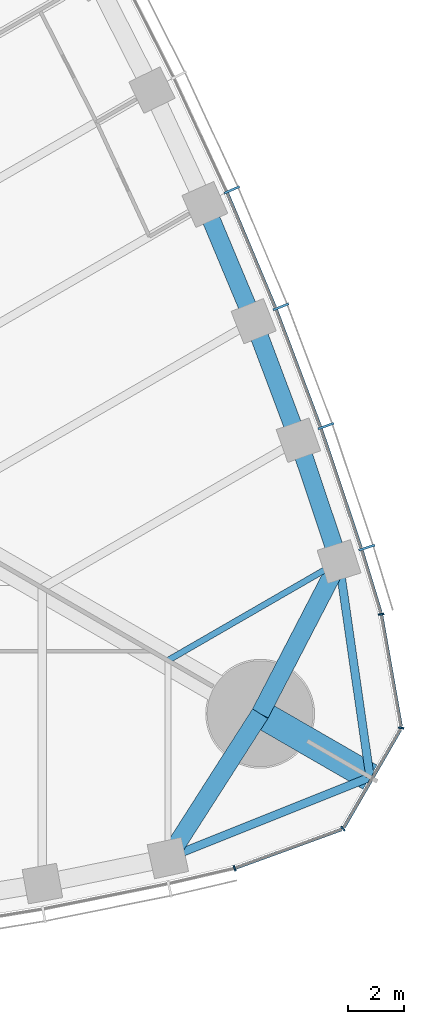
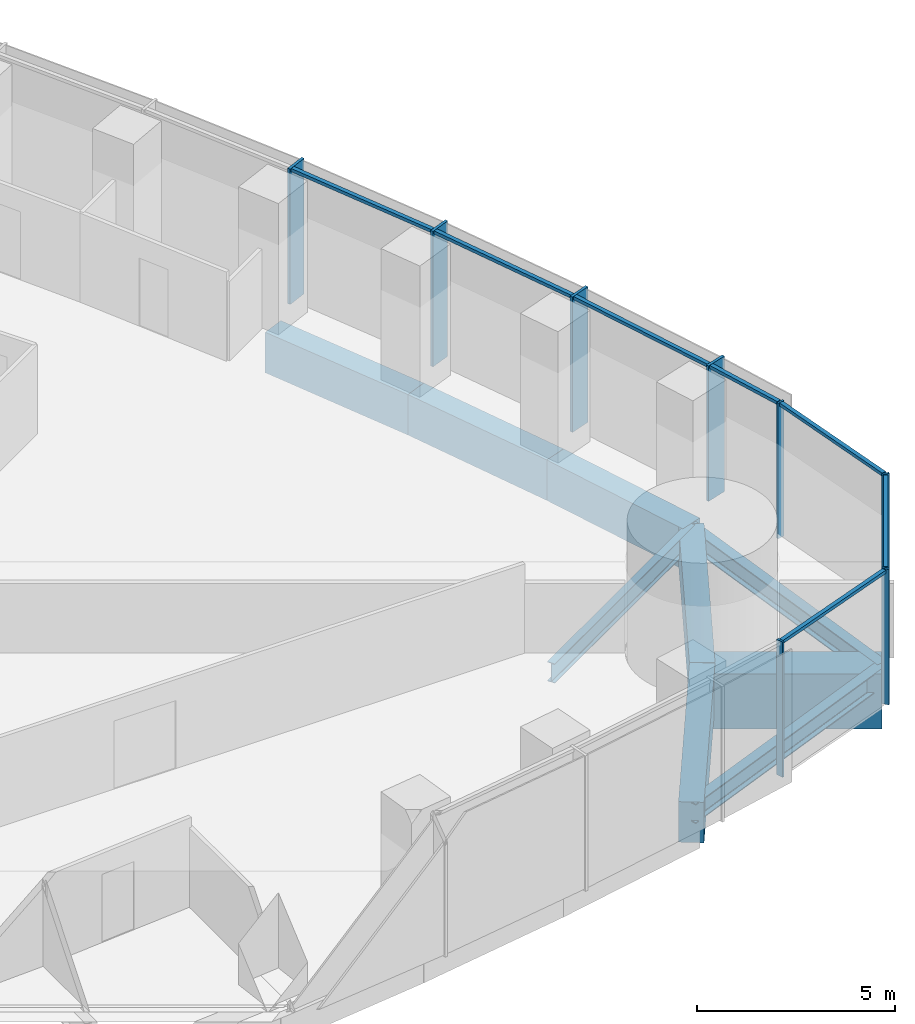
# One storey, part 8 of 21: 15 members, 9 beams, 2 elements without a shape of their own.
"""IFC4 building model written with IfcOpenShell, lengths in metres."""

from ifc_helpers import new_model, si_unit, direction, frame, origin, origin_2d, place, context, subcontext, project, spatial, rectangle, i_section, extrude, material, material_profile, profile_set, type_object, element, aggregate, save


model = new_model("IFC4")

# Units and contexts
model_context = context("Model", 3, precision=1e-05, world=origin(), true_north=direction((0.0, 1.0)))
body_context = subcontext(model_context, "Body", "Model", "MODEL_VIEW")
ifc_project = project(units=[si_unit("LENGTHUNIT", "METRE"), si_unit("AREAUNIT", "SQUARE_METRE"), si_unit("VOLUMEUNIT", "CUBIC_METRE"), si_unit("PLANEANGLEUNIT", "RADIAN"), si_unit("MASSUNIT", "GRAM", prefix="KILO")], contexts=[model_context])

# Site, building, storey
site_placement = place(None, origin())
site = spatial("IfcSite", under=ifc_project, at=site_placement, CompositionType="ELEMENT")
building_placement = place(site_placement, origin())
building = spatial("IfcBuilding", under=site, at=building_placement, Name="Trefoil Bronze Tower", CompositionType="ELEMENT")
storey_placement = place(building_placement, frame((0.0, 0.0, 153.5)))
storey = spatial("IfcBuildingStorey", under=building, at=storey_placement, Name="L35", CompositionType="ELEMENT", Elevation=153.5)

# Curtain wall, members
ifc_material_1 = material(Name="Tinted solar-control glass", Category="glass")
curtain_wall_type_1 = type_object("IfcCurtainWallType", Name="Bronze office curtain wall", PredefinedType="USERDEFINED", material=ifc_material_1)
curtain_wall_1_placement = place(storey_placement, origin())
curtain_wall_1 = element("IfcCurtainWall", 1, at=curtain_wall_1_placement, inside=storey, type_object=curtain_wall_type_1, Name="CW-A L35 F2", ObjectType="CURTAIN WALL", PredefinedType="USERDEFINED")
ifc_material_2 = material(Name="Bronze-finish aluminium", Category="aluminium")
ifc_material_profile_1 = material_profile(ifc_material_2, rectangle(XDim=0.60009765625, YDim=0.080078125, at=origin_2d()), Name="CW-A mullion")
ifc_profile_set_1 = profile_set([ifc_material_profile_1], Name="Bronze-finish aluminium")
member_type_1 = type_object("IfcMemberType", Name="Bronze office curtain wall mullion", PredefinedType="MULLION", material=ifc_profile_set_1)
member_1_placement = place(storey_placement, frame((34.1337890625, -11.543212890625, 0.0), z_axis=(0.0, 0.0, 1.0), x_axis=(-0.952331125357, -0.30506626768, 0.0)))
member_1 = element("IfcMember", 2, at=member_1_placement, type_object=member_type_1, Name="CW-A L35 F2 mullion 2", PredefinedType="MULLION", context=body_context, shape_type="SweptSolid", body=[
    extrude(rectangle(XDim=0.60009765625, YDim=0.080078125, at=origin_2d()), origin(), (0.0, 0.0, 1.0), 4.179931640625),
])
member_2_placement = place(storey_placement, frame((32.668701171875, -7.181884765625, 0.0), z_axis=(0.0, 0.0, 1.0), x_axis=(-0.94196250502, -0.335718094742, 0.0)))
member_2 = element("IfcMember", 3, at=member_2_placement, type_object=member_type_1, Name="CW-A L35 F2 mullion 3", PredefinedType="MULLION", context=body_context, shape_type="SweptSolid", body=[
    extrude(rectangle(XDim=0.60009765625, YDim=0.080078125, at=origin_2d()), origin(), (0.0, 0.0, 1.0), 4.179931640625),
])
member_3_placement = place(storey_placement, frame((31.055419921875, -2.90478515625, 0.0), z_axis=(0.0, 0.0, 1.0), x_axis=(-0.929071242848, -0.369900832269, 0.0)))
member_3 = element("IfcMember", 4, at=member_3_placement, type_object=member_type_1, Name="CW-A L35 F2 mullion 4", PredefinedType="MULLION", context=body_context, shape_type="SweptSolid", body=[
    extrude(rectangle(XDim=0.60009765625, YDim=0.080078125, at=origin_2d()), origin(), (0.0, 0.0, 1.0), 4.179931640625),
])
member_4_placement = place(storey_placement, frame((29.296875, 1.28857421875, 0.0), z_axis=(0.0, 0.0, 1.0), x_axis=(-0.915018269914, -0.40341240155, 0.0)))
member_4 = element("IfcMember", 5, at=member_4_placement, type_object=member_type_1, Name="CW-A L35 F2 mullion 5", PredefinedType="MULLION", context=body_context, shape_type="SweptSolid", body=[
    extrude(rectangle(XDim=0.60009765625, YDim=0.080078125, at=origin_2d()), origin(), (0.0, 0.0, 1.0), 4.179931640625),
])
ifc_material_3 = material(Name="Bronze-finish aluminium", Category="aluminium")
ifc_material_profile_2 = material_profile(ifc_material_3, rectangle(XDim=0.1201171875, YDim=0.10009765625, at=origin_2d()), Name="CW-A transom")
ifc_profile_set_2 = profile_set([ifc_material_profile_2], Name="Bronze-finish aluminium")
member_type_2 = type_object("IfcMemberType", Name="Bronze office curtain wall transom", PredefinedType="USERDEFINED", material=ifc_profile_set_2)
member_5_placement = place(storey_placement, frame((34.637939453125, -13.88232421875, 4.1298828125), z_axis=(-0.291680468798, 0.956515814883, 0.0), x_axis=(-0.956515814883, -0.291680468798, 0.0)))
member_5 = element("IfcMember", 6, at=member_5_placement, type_object=member_type_2, Name="CW-A L35 F2 transom 1", ObjectType="TRANSOM", PredefinedType="USERDEFINED", context=body_context, shape_type="SweptSolid", body=[
    extrude(rectangle(XDim=0.1201171875, YDim=0.10009765625, at=origin_2d()), origin(), (0.0, 0.0, 1.0), 2.34033203125),
])
member_6_placement = place(storey_placement, frame((33.929931640625, -11.56494140625, 4.1298828125), z_axis=(-0.318386323729, 0.947961048178, 0.0), x_axis=(-0.947961048178, -0.318386323729, 0.0)))
member_6 = element("IfcMember", 7, at=member_6_placement, type_object=member_type_2, Name="CW-A L35 F2 transom 2", ObjectType="TRANSOM", PredefinedType="USERDEFINED", context=body_context, shape_type="SweptSolid", body=[
    extrude(rectangle(XDim=0.1201171875, YDim=0.10009765625, at=origin_2d()), origin(), (0.0, 0.0, 1.0), 4.51123046875),
])
member_7_placement = place(storey_placement, frame((32.465576171875, -7.2099609375, 4.1298828125), z_axis=(-0.352932154759, 0.935648916067, 0.0), x_axis=(-0.935648916067, -0.352932154759, 0.0)))
member_7 = element("IfcMember", 8, at=member_7_placement, type_object=member_type_2, Name="CW-A L35 F2 transom 3", ObjectType="TRANSOM", PredefinedType="USERDEFINED", context=body_context, shape_type="SweptSolid", body=[
    extrude(rectangle(XDim=0.1201171875, YDim=0.10009765625, at=origin_2d()), origin(), (0.0, 0.0, 1.0), 4.48046875),
])
member_8_placement = place(storey_placement, frame((30.853515625, -2.940185546875, 4.1298828125), z_axis=(-0.386773266184, 0.922174842731, 0.0), x_axis=(-0.922174842731, -0.386773266184, 0.0)))
member_8 = element("IfcMember", 9, at=member_8_placement, type_object=member_type_2, Name="CW-A L35 F2 transom 4", ObjectType="TRANSOM", PredefinedType="USERDEFINED", context=body_context, shape_type="SweptSolid", body=[
    extrude(rectangle(XDim=0.1201171875, YDim=0.10009765625, at=origin_2d()), origin(), (0.0, 0.0, 1.0), 4.45654296875),
])
aggregate(curtain_wall_1, [member_1, member_2, member_3, member_4, member_5, member_6, member_7, member_8])

ifc_material_4 = material(Name="Tinted solar-control glass", Category="glass")
curtain_wall_type_2 = type_object("IfcCurtainWallType", Name="Bronze rounded corner curtain wall", PredefinedType="USERDEFINED", material=ifc_material_4)
curtain_wall_2_placement = place(storey_placement, origin())
curtain_wall_2 = element("IfcCurtainWall", 10, at=curtain_wall_2_placement, inside=storey, type_object=curtain_wall_type_2, Name="CW-B L35 K1", ObjectType="CURTAIN WALL", PredefinedType="USERDEFINED")
ifc_material_5 = material(Name="Bronze-finish aluminium", Category="aluminium")
ifc_material_profile_3 = material_profile(ifc_material_5, rectangle(XDim=0.199951171875, YDim=0.06005859375, at=origin_2d()), Name="CW-B mullion")
ifc_profile_set_3 = profile_set([ifc_material_profile_3], Name="Bronze-finish aluminium")
member_type_3 = type_object("IfcMemberType", Name="Bronze rounded corner curtain wall mullion", PredefinedType="MULLION", material=ifc_profile_set_3)
member_9_placement = place(storey_placement, frame((29.391845703125, -23.043701171875, 0.0), z_axis=(0.0, 0.0, 1.0), x_axis=(-0.342020143326, 0.939692620786, 0.0)))
member_9 = element("IfcMember", 11, at=member_9_placement, type_object=member_type_3, Name="CW-B L35 K1 mullion 1", PredefinedType="MULLION", context=body_context, shape_type="SweptSolid", body=[
    extrude(rectangle(XDim=0.199951171875, YDim=0.06005859375, at=origin_2d()), origin(), (0.0, 0.0, 1.0), 4.179931640625),
])
member_10_placement = place(storey_placement, frame((33.27880859375, -21.62255859375, 0.0), z_axis=(0.0, 0.0, 1.0), x_axis=(-0.642787609687, 0.766044443119, 0.0)))
member_10 = element("IfcMember", 12, at=member_10_placement, type_object=member_type_3, Name="CW-B L35 K1 mullion 2", PredefinedType="MULLION", context=body_context, shape_type="SweptSolid", body=[
    extrude(rectangle(XDim=0.199951171875, YDim=0.06005859375, at=origin_2d()), origin(), (0.0, 0.0, 1.0), 4.179931640625),
])
member_11_placement = place(storey_placement, frame((35.364990234375, -18.009033203125, 0.0), z_axis=(0.0, 0.0, 1.0), x_axis=(-0.984807753012, 0.173648177667, 0.0)))
member_11 = element("IfcMember", 13, at=member_11_placement, type_object=member_type_3, Name="CW-B L35 K1 mullion 3", PredefinedType="MULLION", context=body_context, shape_type="SweptSolid", body=[
    extrude(rectangle(XDim=0.199951171875, YDim=0.06005859375, at=origin_2d()), origin(), (0.0, 0.0, 1.0), 4.179931640625),
])
member_12_placement = place(storey_placement, frame((34.65234375, -13.932373046875, 0.0), z_axis=(0.0, 0.0, 1.0), x_axis=(-0.984807753012, -0.173648177667, 0.0)))
member_12 = element("IfcMember", 14, at=member_12_placement, type_object=member_type_3, Name="CW-B L35 K1 mullion 4", PredefinedType="MULLION", context=body_context, shape_type="SweptSolid", body=[
    extrude(rectangle(XDim=0.199951171875, YDim=0.06005859375, at=origin_2d()), origin(), (0.0, 0.0, 1.0), 4.179931640625),
])
ifc_material_6 = material(Name="Bronze-finish aluminium", Category="aluminium")
ifc_material_profile_4 = material_profile(ifc_material_6, rectangle(XDim=0.1201171875, YDim=0.10009765625, at=origin_2d()), Name="CW-B transom")
ifc_profile_set_4 = profile_set([ifc_material_profile_4], Name="Bronze-finish aluminium")
member_type_4 = type_object("IfcMemberType", Name="Bronze rounded corner curtain wall transom", PredefinedType="USERDEFINED", material=ifc_profile_set_4)
member_13_placement = place(storey_placement, frame((29.420166015625, -23.033447265625, 4.1298828125), z_axis=(0.939684096629, 0.342043562347, 0.0), x_axis=(-0.342043562347, 0.939684096629, 0.0)))
member_13 = element("IfcMember", 15, at=member_13_placement, type_object=member_type_4, Name="CW-B L35 K1 transom 1", ObjectType="TRANSOM", PredefinedType="USERDEFINED", context=body_context, shape_type="SweptSolid", body=[
    extrude(rectangle(XDim=0.1201171875, YDim=0.10009765625, at=origin_2d()), origin(), (0.0, 0.0, 1.0), 4.044189453125),
])
member_14_placement = place(storey_placement, frame((33.31591796875, -21.570068359375, 4.1298828125), z_axis=(0.500015078168, 0.866016698225, 0.0), x_axis=(-0.866016698225, 0.500015078168, 0.0)))
member_14 = element("IfcMember", 16, at=member_14_placement, type_object=member_type_4, Name="CW-B L35 K1 transom 2", ObjectType="TRANSOM", PredefinedType="USERDEFINED", context=body_context, shape_type="SweptSolid", body=[
    extrude(rectangle(XDim=0.1201171875, YDim=0.10009765625, at=origin_2d()), origin(), (0.0, 0.0, 1.0), 4.04443359375),
])
member_15_placement = place(storey_placement, frame((35.35986328125, -17.944580078125, 4.1298828125), z_axis=(-0.173682016639, 0.984801785689, 0.0), x_axis=(-0.984801785689, -0.173682016639, 0.0)))
member_15 = element("IfcMember", 17, at=member_15_placement, type_object=member_type_4, Name="CW-B L35 K1 transom 3", ObjectType="TRANSOM", PredefinedType="USERDEFINED", context=body_context, shape_type="SweptSolid", body=[
    extrude(rectangle(XDim=0.1201171875, YDim=0.10009765625, at=origin_2d()), origin(), (0.0, 0.0, 1.0), 4.044189453125),
])
aggregate(curtain_wall_2, [member_9, member_10, member_11, member_12, member_13, member_14, member_15])

# Beams
ifc_material_7 = material(Name="Concrete B80", Category="concrete")
ifc_material_profile_5 = material_profile(ifc_material_7, rectangle(XDim=1.0, YDim=1.699951171875, at=origin_2d()), Name="RC 1000x1700")
ifc_profile_set_5 = profile_set([ifc_material_profile_5], Name="Concrete B80")
beam_type_1 = type_object("IfcBeamType", Name="Corner cantilever RC 1000x1700", PredefinedType="BEAM", material=ifc_profile_set_5)
beam_1_placement = place(storey_placement, frame((30.310791015625, -17.5, -1.050048828125), z_axis=(0.866031878637, -0.499988785058, 0.0), x_axis=(0.499988785058, 0.866031878637, 0.0)))
element("IfcBeam", 18, at=beam_1_placement, inside=storey, type_object=beam_type_1, Name="Corner cantilever K1 L35", PredefinedType="BEAM", context=body_context, shape_type="SweptSolid", body=[
    extrude(rectangle(XDim=1.0, YDim=1.699951171875, at=origin_2d()), origin(), (0.0, 0.0, 1.0), 4.54931640625),
])
ifc_material_8 = material(Name="Steel C355", Category="steel")
ifc_material_profile_6 = material_profile(ifc_material_8, i_section(OverallWidth=0.300048828125, OverallDepth=0.60009765625, WebThickness=0.015380859375, FlangeThickness=0.030029296875, FilletRadius=0.027099609375, at=origin_2d()), Name="HEB 600")
ifc_profile_set_6 = profile_set([ifc_material_profile_6], Name="Steel C355")
beam_type_2 = type_object("IfcBeamType", Name="Corner edge beam HEB 600", PredefinedType="BEAM", material=ifc_profile_set_6)
for number, where, z_axis, x_axis, name in (
    (19, (27.0, -22.67724609375, -0.5), (0.928375332495, 0.371643972122, 0.0), (-0.371643972122, 0.928375332495, 0.0), "Corner edge beam F1A L35"),
    (20, (33.13916015625, -12.044189453125, -0.5), (0.142327214588, -0.989819662357, 0.0), (0.989819662357, 0.142327214588, 0.0), "Corner edge beam F2B L35"),
):
    element("IfcBeam", number, at=place(storey_placement, frame(where, z_axis=z_axis, x_axis=x_axis)), inside=storey, type_object=beam_type_2, Name=name, PredefinedType="BEAM", context=body_context, shape_type="SweptSolid", body=[
        extrude(i_section(OverallWidth=0.300048828125, OverallDepth=0.60009765625, WebThickness=0.015380859375, FlangeThickness=0.030029296875, FilletRadius=0.027099609375, at=origin_2d()), origin(), (0.0, 0.0, 1.0), 7.81005859375),
    ])
ifc_material_9 = material(Name="Concrete B80", Category="concrete")
ifc_material_profile_7 = material_profile(ifc_material_9, rectangle(XDim=0.64990234375, YDim=1.25, at=origin_2d()), Name="RC 650x1250")
ifc_profile_set_7 = profile_set([ifc_material_profile_7], Name="Concrete B80")
beam_type_3 = type_object("IfcBeamType", Name="End spandrel beam RC 650x1250", PredefinedType="SPANDREL", material=ifc_profile_set_7)
for number, where, z_axis, x_axis, name in (
    (21, (27.0, -22.67724609375, -0.824951171875), (0.53874814953, 0.84246687257, 0.0), (-0.84246687257, 0.53874814953, 0.0), "Spandrel F1.14 L35"),
    (22, (30.310791015625, -17.5, -0.824951171875), (0.460244107083, 0.887792409235, 0.0), (-0.887792409235, 0.460244107083, 0.0), "Spandrel F2.1 L35"),
):
    element("IfcBeam", number, at=place(storey_placement, frame(where, z_axis=z_axis, x_axis=x_axis)), inside=storey, type_object=beam_type_3, Name=name, PredefinedType="SPANDREL", context=body_context, shape_type="SweptSolid", body=[
        extrude(rectangle(XDim=0.64990234375, YDim=1.25, at=origin_2d()), origin(), (0.0, 0.0, 1.0), 6.145263671875),
    ])
ifc_material_10 = material(Name="Steel C355", Category="steel")
ifc_material_profile_8 = material_profile(ifc_material_10, i_section(OverallWidth=0.219970703125, OverallDepth=0.60009765625, WebThickness=0.011962890625, FlangeThickness=0.01904296875, FilletRadius=0.02392578125, at=origin_2d()), Name="IPE 600")
ifc_profile_set_8 = profile_set([ifc_material_profile_8], Name="Steel C355")
beam_type_4 = type_object("IfcBeamType", Name="Floor beam IPE 600", PredefinedType="BEAM", material=ifc_profile_set_8)
beam_2_placement = place(storey_placement, frame((33.13916015625, -12.044189453125, -0.5), z_axis=(-0.866041060244, -0.499972881236, 0.0), x_axis=(0.499972881236, -0.866041060244, 0.0)))
element("IfcBeam", 23, at=beam_2_placement, inside=storey, type_object=beam_type_4, Name="Floor beam F2/-6 L35", PredefinedType="BEAM", context=body_context, shape_type="SweptSolid", body=[
    extrude(i_section(OverallWidth=0.219970703125, OverallDepth=0.60009765625, WebThickness=0.011962890625, FlangeThickness=0.01904296875, FilletRadius=0.02392578125, at=origin_2d()), origin(), (0.0, 0.0, 1.0), 7.0888671875),
])
ifc_material_11 = material(Name="Concrete B80", Category="concrete")
ifc_material_profile_9 = material_profile(ifc_material_11, rectangle(XDim=0.64990234375, YDim=1.25, at=origin_2d()), Name="RC 650x1250")
ifc_profile_set_9 = profile_set([ifc_material_profile_9], Name="Concrete B80")
beam_type_5 = type_object("IfcBeamType", Name="Spandrel beam RC 650x1250", PredefinedType="SPANDREL", material=ifc_profile_set_9)
beam_3_placement = place(storey_placement, frame((33.13916015625, -12.044189453125, -0.824951171875), z_axis=(-0.31732802068, 0.948315837309, 0.0), x_axis=(-0.948315837309, -0.31732802068, 0.0)))
element("IfcBeam", 24, at=beam_3_placement, inside=storey, type_object=beam_type_5, Name="Spandrel F2.2 L35", PredefinedType="SPANDREL", context=body_context, shape_type="SweptSolid", body=[
    extrude(rectangle(XDim=0.64990234375, YDim=1.25, at=origin_2d()), origin(), (0.0, 0.0, 1.0), 4.59228515625),
])
beam_4_placement = place(storey_placement, frame((31.681884765625, -7.689208984375, -0.824951171875), z_axis=(-0.351938675523, 0.936023059904, 0.0), x_axis=(-0.936023059904, -0.351938675523, 0.0)))
element("IfcBeam", 25, at=beam_4_placement, inside=storey, type_object=beam_type_5, Name="Spandrel F2.3 L35", PredefinedType="SPANDREL", context=body_context, shape_type="SweptSolid", body=[
    extrude(rectangle(XDim=0.64990234375, YDim=1.25, at=origin_2d()), origin(), (0.0, 0.0, 1.0), 4.56103515625),
])
beam_5_placement = place(storey_placement, frame((30.07666015625, -3.419921875, -0.824951171875), z_axis=(-0.386013490858, 0.922493135408, 0.0), x_axis=(-0.922493135408, -0.386013490858, 0.0)))
element("IfcBeam", 26, at=beam_5_placement, inside=storey, type_object=beam_type_5, Name="Spandrel F2.4 L35", PredefinedType="SPANDREL", context=body_context, shape_type="SweptSolid", body=[
    extrude(rectangle(XDim=0.64990234375, YDim=1.25, at=origin_2d()), origin(), (0.0, 0.0, 1.0), 4.53662109375),
])

save(model, "model.ifc")
